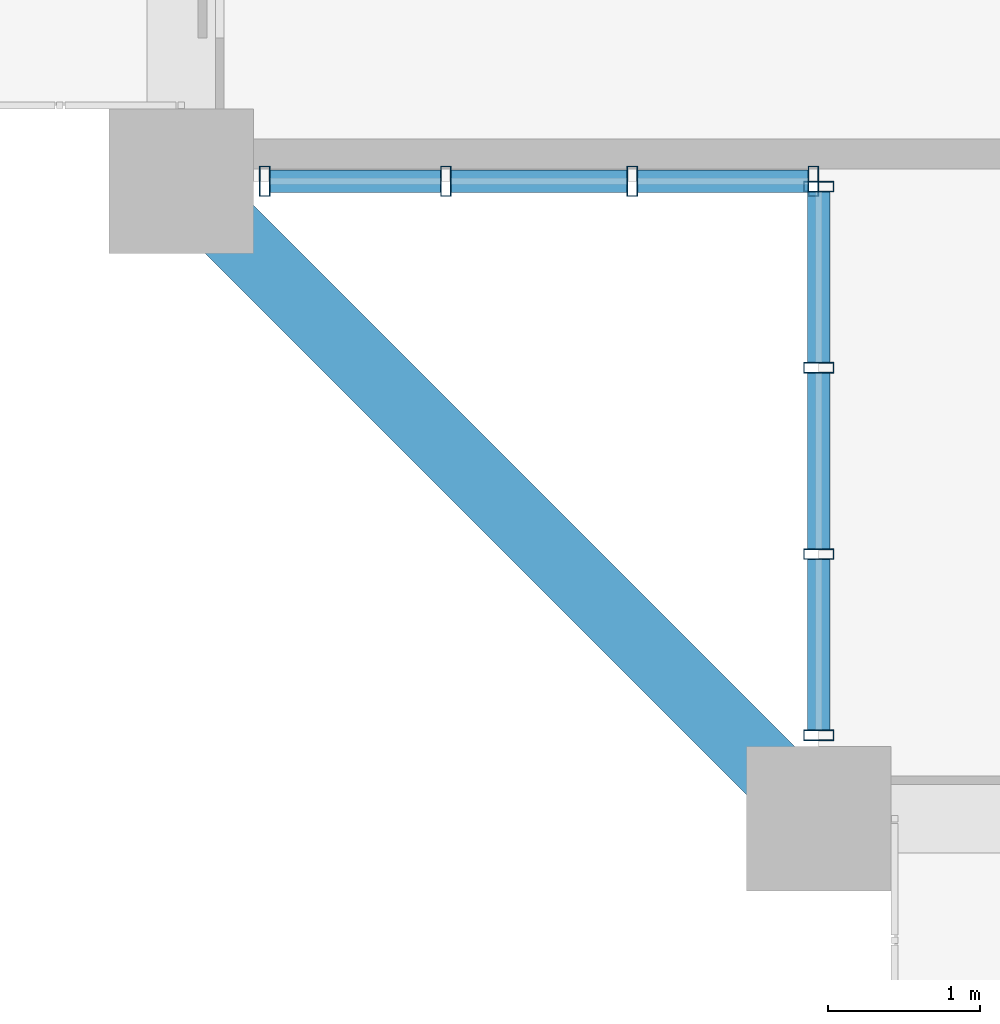
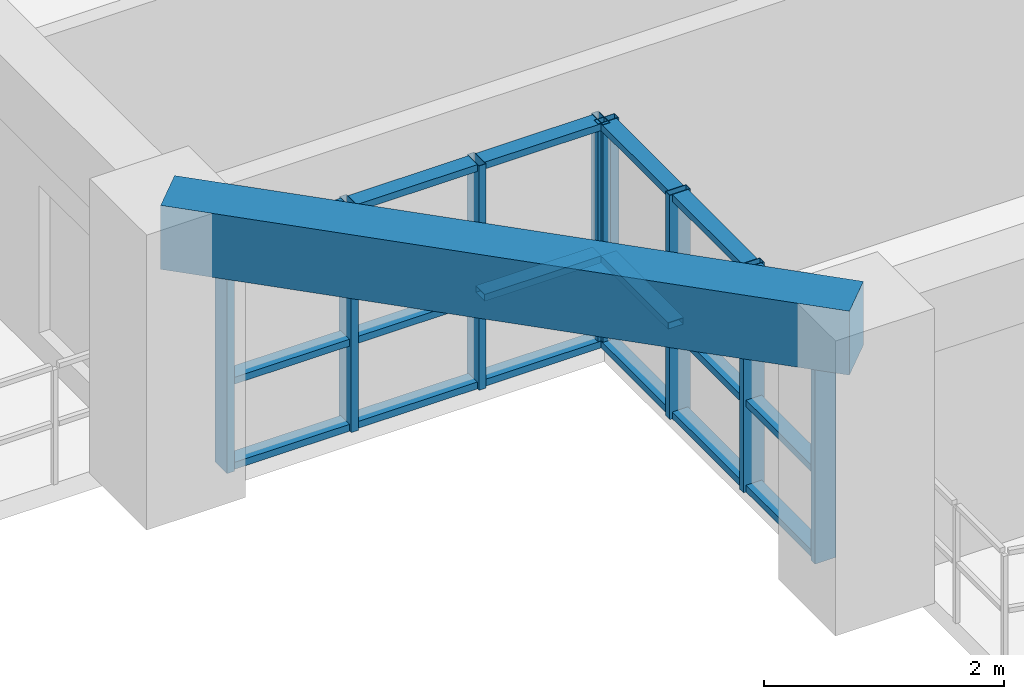
# One storey, part 2 of 22: 26 members, 1 beam, 2 elements without a shape of their own.
"""IFC4 building model written with IfcOpenShell, lengths in metres."""

import ifcopenshell
import ifcopenshell.guid

model = None  # the IFC model being written
_history = None  # IfcOwnerHistory: only IFC2X3 demands one
_inside = {}  # id of a spatial element -> (the spatial element, [elements in it])
_under = {}  # id of a project, library or spatial element -> (it, [spatial elements below it])
_declared = {}  # id of a project -> (the project, [libraries it declares])
_typed = {}  # id of a type object -> (the type object, [elements of that type])
_made_of = {}  # id of a material, layer set ... -> (it, [elements and type objects made of it])


def new_model(schema):
    """Start an empty IFC model of exactly this schema.

    Asked for "IFC4X3", IfcOpenShell would pick the latest addendum, in which some entities
    have other attributes; the version numbers below select the first issue.
    IFC2X3 requires an IfcOwnerHistory on every rooted entity: one is made here for all.
    """
    global model, _history
    if schema == "IFC4X3":
        model = ifcopenshell.file(schema_version=(4, 3, 0, 0))
    else:
        model = ifcopenshell.file(schema=schema)
    _inside.clear()
    _under.clear()
    _declared.clear()
    _typed.clear()
    _made_of.clear()
    _history = None
    if model.schema == "IFC2X3":
        org = make("IfcOrganization", Name="unknown")
        user = make(
            "IfcPersonAndOrganization",
            ThePerson=make("IfcPerson", FamilyName="unknown"),
            TheOrganization=org,
        )
        app = make(
            "IfcApplication",
            ApplicationDeveloper=org,
            Version="unknown",
            ApplicationFullName="unknown",
            ApplicationIdentifier="unknown",
        )
        _history = make(
            "IfcOwnerHistory",
            OwningUser=user,
            OwningApplication=app,
            ChangeAction="ADDED",
            CreationDate=0,
        )
    return model


def make(cls, **values):
    """One entity of the class cls with the attributes given. An attribute that is None is left unset."""
    return model.create_entity(
        cls, **{name: value for name, value in values.items() if value is not None}
    )


def rooted(cls, **values):
    """An entity with a GlobalId (a new one), such as an element, a storey or a relation."""
    return make(cls, GlobalId=ifcopenshell.guid.new(), OwnerHistory=_history, **values)


def si_unit(unit_type, name, prefix=None):
    """IfcSIUnit, for example si_unit("LENGTHUNIT", "METRE", prefix="MILLI")."""
    return make("IfcSIUnit", UnitType=unit_type, Prefix=prefix, Name=name)


def assignment(units):
    """IfcUnitAssignment: the units of a project."""
    return None if units is None else make("IfcUnitAssignment", Units=units)


def point(xyz):
    """IfcCartesianPoint."""
    return None if xyz is None else make("IfcCartesianPoint", Coordinates=xyz)


def direction(xyz):
    """IfcDirection."""
    return None if xyz is None else make("IfcDirection", DirectionRatios=xyz)


def frame(location, z_axis=None, x_axis=None):
    """IfcAxis2Placement3D, a coordinate frame: its origin and axes. An axis left out is left unset."""
    return make(
        "IfcAxis2Placement3D",
        Location=point(location),
        Axis=direction(z_axis),
        RefDirection=direction(x_axis),
    )


def frame_2d(location, x_axis=None):
    """IfcAxis2Placement2D, a coordinate frame in the plane: its origin and x axis."""
    return make(
        "IfcAxis2Placement2D", Location=point(location), RefDirection=direction(x_axis)
    )


def origin():
    """The frame at (0, 0, 0) with its axes left unset."""
    return frame((0.0, 0.0, 0.0))


def origin_2d():
    """The frame at (0, 0) in the plane with its x axis left unset."""
    return frame_2d((0.0, 0.0))


def place(relative_to, where):
    """IfcLocalPlacement: puts the frame where relative to a parent placement (None: the world)."""
    return make(
        "IfcLocalPlacement", PlacementRelTo=relative_to, RelativePlacement=where
    )


def context(
    kind, dimensions, precision=None, world=None, true_north=None, identifier=None
):
    """IfcGeometricRepresentationContext, for example the 3D "Model" context."""
    return make(
        "IfcGeometricRepresentationContext",
        ContextIdentifier=identifier,
        ContextType=kind,
        CoordinateSpaceDimension=dimensions,
        Precision=precision,
        WorldCoordinateSystem=world,
        TrueNorth=true_north,
    )


def subcontext(parent, identifier, kind, view, scale=None):
    """IfcGeometricRepresentationSubContext, for example "Body" below "Model"."""
    return make(
        "IfcGeometricRepresentationSubContext",
        ContextIdentifier=identifier,
        ContextType=kind,
        ParentContext=parent,
        TargetScale=scale,
        TargetView=view,
    )


def project(units=None, contexts=None):
    """IfcProject with its units and contexts."""
    return rooted(
        "IfcProject",
        Name="project",
        RepresentationContexts=contexts,
        UnitsInContext=assignment(units),
    )


def spatial(cls, under=None, at=None, **own):
    """A site, building, storey or space (cls), placed at a placement, below another one or the project."""
    s = rooted(cls, ObjectPlacement=at, **own)
    if under is not None:
        _under.setdefault(under.id(), (under, []))[1].append(s)
    return s


def profile(cls, at=None, kind="AREA", **sizes):
    """A parametric profile (cls). Its sizes go by their IFC names, for example OverallWidth=200.0."""
    return make(cls, ProfileType=kind, Position=at, **sizes)


def rectangle(**sizes):
    """IfcRectangleProfileDef."""
    return profile("IfcRectangleProfileDef", **sizes)


def hollow_rectangle(**sizes):
    """IfcRectangleHollowProfileDef."""
    return profile("IfcRectangleHollowProfileDef", **sizes)


def extrude(swept, where, along, depth):
    """IfcExtrudedAreaSolid: the profile swept, set in the frame where, extruded along a direction by depth."""
    return make(
        "IfcExtrudedAreaSolid",
        SweptArea=swept,
        Position=where,
        ExtrudedDirection=direction(along),
        Depth=depth,
    )


def shape(context_of_items, identifier, shape_type, items):
    """IfcShapeRepresentation: the items that make up one representation, for example the "Body"."""
    return make(
        "IfcShapeRepresentation",
        ContextOfItems=context_of_items,
        RepresentationIdentifier=identifier,
        RepresentationType=shape_type,
        Items=items,
    )


def source(mapping_origin, context_of_items, identifier, shape_type, items):
    """IfcRepresentationMap: a shape defined once, which mapped items show again and again."""
    return make(
        "IfcRepresentationMap",
        MappingOrigin=mapping_origin,
        MappedRepresentation=shape(context_of_items, identifier, shape_type, items),
    )


def transform(
    local_origin,
    x_axis=None,
    y_axis=None,
    z_axis=None,
    scale=None,
    scale2=None,
    scale3=None,
    uniform=True,
):
    """IfcCartesianTransformationOperator3D, or its non-uniform kind. x_axis, y_axis, z_axis: its Axis1, 2, 3."""
    if uniform:
        return make(
            "IfcCartesianTransformationOperator3D",
            Axis1=direction(x_axis),
            Axis2=direction(y_axis),
            LocalOrigin=point(local_origin),
            Scale=scale,
            Axis3=direction(z_axis),
        )
    return make(
        "IfcCartesianTransformationOperator3DnonUniform",
        Axis1=direction(x_axis),
        Axis2=direction(y_axis),
        LocalOrigin=point(local_origin),
        Scale=scale,
        Axis3=direction(z_axis),
        Scale2=scale2,
        Scale3=scale3,
    )


def mapped(mapping_source, mapping_target):
    """IfcMappedItem: shows the shape of a source again, moved by a transform."""
    return make(
        "IfcMappedItem", MappingSource=mapping_source, MappingTarget=mapping_target
    )


def material(Name=None, Category=None):
    """IfcMaterial."""
    return make("IfcMaterial", Name=Name, Category=Category)


def layer(
    of_material, thickness, ventilated=None, Name=None, Category=None, Priority=None
):
    """IfcMaterialLayer: one layer of a wall or slab, of a material (None: an air gap)."""
    return make(
        "IfcMaterialLayer",
        Material=of_material,
        LayerThickness=thickness,
        IsVentilated=ventilated,
        Name=Name,
        Category=Category,
        Priority=Priority,
    )


def layer_set(layers, Name=None):
    """IfcMaterialLayerSet."""
    return make("IfcMaterialLayerSet", MaterialLayers=layers, LayerSetName=Name)


def material_profile(
    of_material, cross_section, Name=None, Category=None, Priority=None
):
    """IfcMaterialProfile: a cross section and its material."""
    return make(
        "IfcMaterialProfile",
        Name=Name,
        Material=of_material,
        Profile=cross_section,
        Priority=Priority,
        Category=Category,
    )


def profile_set(profiles, Name=None, composite=None):
    """IfcMaterialProfileSet."""
    return make(
        "IfcMaterialProfileSet",
        Name=Name,
        MaterialProfiles=profiles,
        CompositeProfile=composite,
    )


def made_of(thing, what):
    """Note that an element or type object is made of a material, layer set ...; save() writes the relation."""
    if what is not None:
        _made_of.setdefault(what.id(), (what, []))[1].append(thing)
    return thing


def type_object(cls, material=None, **own):
    """A type object (cls), such as IfcWallType, which elements share."""
    return made_of(rooted(cls, **own), material)


def element(
    cls,
    number,
    at=None,
    inside=None,
    cuts=None,
    type_object=None,
    material=None,
    context=None,
    identifier="Body",
    shape_type=None,
    held_by="IfcProductDefinitionShape",
    body=None,
    shapes=None,
    **own,
):
    """One element of the class cls, such as IfcWall. Its Tag is "e" and its number.

    at: its placement. inside: the storey or other place that contains it. cuts: it is an
    opening in that element (IfcRelVoidsElement). A single representation is given by context,
    identifier, shape_type and body (its items); several are given by shapes. held_by: the class
    of the entity that holds the representations. save() writes the other relations.
    """
    e = rooted(cls, Tag="e%d" % number, ObjectPlacement=at, **own)
    if body is not None:
        shapes = [shape(context, identifier, shape_type, body)]
    if shapes is not None:
        e.Representation = make(held_by, Representations=shapes)
    if inside is not None:
        _inside.setdefault(inside.id(), (inside, []))[1].append(e)
    if cuts is not None:
        rooted(
            "IfcRelVoidsElement", RelatingBuildingElement=cuts, RelatedOpeningElement=e
        )
    if type_object is not None:
        _typed.setdefault(type_object.id(), (type_object, []))[1].append(e)
    return made_of(e, material)


def aggregate(whole, parts):
    """IfcRelAggregates: a whole, such as a stair, and the parts it consists of."""
    return rooted("IfcRelAggregates", RelatingObject=whole, RelatedObjects=parts)


def save(model, path):
    """Write the relations noted so far, then the file.

    IfcRelAggregates (storeys below a building ...), IfcRelContainedInSpatialStructure (elements
    in a storey), IfcRelDefinesByType, IfcRelAssociatesMaterial and IfcRelDeclares: one each for
    every whole, place, type object, material and project.
    """
    for whole, parts in _under.values():
        aggregate(whole, parts)
    for where, things in _inside.values():
        rooted(
            "IfcRelContainedInSpatialStructure",
            RelatedElements=things,
            RelatingStructure=where,
        )
    for kind, things in _typed.values():
        rooted("IfcRelDefinesByType", RelatedObjects=things, RelatingType=kind)
    for what, things in _made_of.values():
        rooted("IfcRelAssociatesMaterial", RelatedObjects=things, RelatingMaterial=what)
    for by, libraries in _declared.values():
        rooted("IfcRelDeclares", RelatingContext=by, RelatedDefinitions=libraries)
    model.write(path)


model = new_model("IFC4")

# Units and contexts
model_context = context("Model", 3, precision=1e-05, world=origin(), true_north=direction((0.0, 1.0)))
body_context = subcontext(model_context, "Body", "Model", "MODEL_VIEW")
ifc_project = project(units=[si_unit("LENGTHUNIT", "METRE"), si_unit("AREAUNIT", "SQUARE_METRE"), si_unit("VOLUMEUNIT", "CUBIC_METRE"), si_unit("PLANEANGLEUNIT", "RADIAN"), si_unit("MASSUNIT", "GRAM", prefix="KILO")], contexts=[model_context])

# Site, building, storey
site_placement = place(None, origin())
site = spatial("IfcSite", under=ifc_project, at=site_placement, CompositionType="ELEMENT")
building_placement = place(site_placement, origin())
building = spatial("IfcBuilding", under=site, at=building_placement, Name="Saelheon Loggia Tower", CompositionType="ELEMENT")
storey_placement = place(building_placement, frame((0.0, 0.0, 135.75)))
storey = spatial("IfcBuildingStorey", under=building, at=storey_placement, Name="L43", CompositionType="ELEMENT", Elevation=135.75)

# Beam
ifc_material_1 = material(Name="Concrete C40/50", Category="concrete")
ifc_material_profile_1 = material_profile(ifc_material_1, rectangle(XDim=0.449951171875, YDim=0.64990234375, at=origin_2d()), Name="RC-450x650")
ifc_profile_set_1 = profile_set([ifc_material_profile_1], Name="Concrete C40/50")
beam_type = type_object("IfcBeamType", Name="Beam_PerimTower_RC450x650", PredefinedType="BEAM", material=ifc_profile_set_1)
shared_shape_1 = source(origin(), body_context, "Body", "SweptSolid", [
    extrude(rectangle(XDim=0.449951171875, YDim=0.64990234375, at=origin_2d()), origin(), (0.0, 0.0, 1.0), 5.939697265625),
])
beam_placement = place(storey_placement, frame((12.0, 7.199951171875, 2.675048828125), z_axis=(0.707106781187, -0.707106781187, 0.0), x_axis=(0.707106781187, 0.707106781187, 0.0)))
element("IfcBeam", 1, at=beam_placement, inside=storey, type_object=beam_type, Name="L43 Perimeter Frame Girder 16", PredefinedType="BEAM", context=body_context, shape_type="MappedRepresentation", body=[
    mapped(shared_shape_1, transform((0.0, 0.0, 0.0), scale=1.0)),
])

# Curtain wall, members
ifc_material_2 = material(Name="High-Wind Aluminium and Triple Laminated Glass", Category="aluminium")
ifc_layer = layer(ifc_material_2, 0.179931640625)
ifc_layer_set = layer_set([ifc_layer], Name="High-Wind Aluminium and Triple Laminated Glass")
curtain_wall_type = type_object("IfcCurtainWallType", Name="CW_TowerLoggiaHigh", PredefinedType="NOTDEFINED", material=ifc_layer_set)
curtain_wall_1_placement = place(storey_placement, origin())
curtain_wall_1 = element("IfcCurtainWall", 2, at=curtain_wall_1_placement, inside=storey, type_object=curtain_wall_type, Name="L43 Corner Notch Glazing SW1", PredefinedType="NOTDEFINED")
ifc_material_3 = material(Name="Anodised Aluminium 6063-T6", Category="aluminium")
ifc_material_profile_2 = material_profile(ifc_material_3, hollow_rectangle(XDim=0.070068359375, YDim=0.199951171875, WallThickness=0.0048828125, at=origin_2d()), Name="RHS-200x70x5")
ifc_profile_set_2 = profile_set([ifc_material_profile_2], Name="Anodised Aluminium 6063-T6")
member_type_1 = type_object("IfcMemberType", Name="CW_TowerLoggiaHigh_Mullion", PredefinedType="MULLION", material=ifc_profile_set_2)
shared_shape_2 = source(origin(), body_context, "Body", "SweptSolid", [
    extrude(hollow_rectangle(XDim=0.070068359375, YDim=0.199951171875, WallThickness=0.0048828125, at=origin_2d()), origin(), (0.0, 0.0, 1.0), 2.280029296875),
])
member_1_placement = place(storey_placement, frame((16.199951171875, 3.550048828125, 0.0), z_axis=(0.0, 0.0, 1.0), x_axis=(0.0, 1.0, 0.0)))
member_1 = element("IfcMember", 3, at=member_1_placement, type_object=member_type_1, Name="CW4 mullion 1", PredefinedType="MULLION", context=body_context, shape_type="MappedRepresentation", body=[
    mapped(shared_shape_2, transform((0.0, 0.0, 0.0), scale=1.0)),
])
member_2_placement = place(storey_placement, frame((16.199951171875, 4.743408203125, 0.0), z_axis=(0.0, 0.0, 1.0), x_axis=(0.0, 1.0, 0.0)))
member_2 = element("IfcMember", 4, at=member_2_placement, type_object=member_type_1, Name="CW4 mullion 2", PredefinedType="MULLION", context=body_context, shape_type="MappedRepresentation", body=[
    mapped(shared_shape_2, transform((0.0, 0.0, 0.0), scale=1.0)),
])
member_3_placement = place(storey_placement, frame((16.199951171875, 5.9716796875, 0.0), z_axis=(0.0, 0.0, 1.0), x_axis=(0.0, 1.0, 0.0)))
member_3 = element("IfcMember", 5, at=member_3_placement, type_object=member_type_1, Name="CW4 mullion 3", PredefinedType="MULLION", context=body_context, shape_type="MappedRepresentation", body=[
    mapped(shared_shape_2, transform((0.0, 0.0, 0.0), scale=1.0)),
])
member_4_placement = place(storey_placement, frame((16.199951171875, 7.1650390625, 0.0), z_axis=(0.0, 0.0, 1.0), x_axis=(0.0, 1.0, 0.0)))
member_4 = element("IfcMember", 6, at=member_4_placement, type_object=member_type_1, Name="CW4 mullion 4", PredefinedType="MULLION", context=body_context, shape_type="MappedRepresentation", body=[
    mapped(shared_shape_2, transform((0.0, 0.0, 0.0), scale=1.0)),
])

curtain_wall_2_placement = place(storey_placement, origin())
curtain_wall_2 = element("IfcCurtainWall", 7, at=curtain_wall_2_placement, inside=storey, type_object=curtain_wall_type, Name="L43 Corner Notch Glazing SW2", PredefinedType="NOTDEFINED")
member_5_placement = place(storey_placement, frame((12.550048828125, 7.199951171875, 0.0), z_axis=(0.0, 0.0, 1.0), x_axis=(1.0, 0.0, 0.0)))
member_5 = element("IfcMember", 8, at=member_5_placement, type_object=member_type_1, Name="CW4 mullion 1", PredefinedType="MULLION", context=body_context, shape_type="MappedRepresentation", body=[
    mapped(shared_shape_2, transform((0.0, 0.0, 0.0), scale=1.0)),
])
member_6_placement = place(storey_placement, frame((13.743408203125, 7.199951171875, 0.0), z_axis=(0.0, 0.0, 1.0), x_axis=(1.0, 0.0, 0.0)))
member_6 = element("IfcMember", 9, at=member_6_placement, type_object=member_type_1, Name="CW4 mullion 2", PredefinedType="MULLION", context=body_context, shape_type="MappedRepresentation", body=[
    mapped(shared_shape_2, transform((0.0, 0.0, 0.0), scale=1.0)),
])
member_7_placement = place(storey_placement, frame((14.9716796875, 7.199951171875, 0.0), z_axis=(0.0, 0.0, 1.0), x_axis=(1.0, 0.0, 0.0)))
member_7 = element("IfcMember", 10, at=member_7_placement, type_object=member_type_1, Name="CW4 mullion 3", PredefinedType="MULLION", context=body_context, shape_type="MappedRepresentation", body=[
    mapped(shared_shape_2, transform((0.0, 0.0, 0.0), scale=1.0)),
])
member_8_placement = place(storey_placement, frame((16.1650390625, 7.199951171875, 0.0), z_axis=(0.0, 0.0, 1.0), x_axis=(1.0, 0.0, 0.0)))
member_8 = element("IfcMember", 11, at=member_8_placement, type_object=member_type_1, Name="CW4 mullion 4", PredefinedType="MULLION", context=body_context, shape_type="MappedRepresentation", body=[
    mapped(shared_shape_2, transform((0.0, 0.0, 0.0), scale=1.0)),
])

# Member
ifc_material_profile_3 = material_profile(ifc_material_3, hollow_rectangle(XDim=0.070068359375, YDim=0.14990234375, WallThickness=0.0048828125, at=origin_2d()), Name="RHS-150x70x5")
ifc_profile_set_3 = profile_set([ifc_material_profile_3], Name="Anodised Aluminium 6063-T6")
member_type_2 = type_object("IfcMemberType", Name="CW_TowerLoggiaHigh_Transom", PredefinedType="USERDEFINED", material=ifc_profile_set_3)
shared_shape_3 = source(origin(), body_context, "Body", "SweptSolid", [
    extrude(hollow_rectangle(XDim=0.070068359375, YDim=0.14990234375, WallThickness=0.0048828125, at=origin_2d()), origin(), (0.0, 0.0, 1.0), 1.123291015625),
])
member_9_placement = place(storey_placement, frame((16.199951171875, 3.5849609375, 0.034912109375), z_axis=(0.0, 1.0, 0.0), x_axis=(0.0, 0.0, 1.0)))
member_9 = element("IfcMember", 12, at=member_9_placement, type_object=member_type_2, Name="CW4 transom 1.1", ObjectType="TRANSOM", PredefinedType="USERDEFINED", context=body_context, shape_type="MappedRepresentation", body=[
    mapped(shared_shape_3, transform((0.0, 0.0, 0.0), scale=1.0)),
])

member_10_placement = place(storey_placement, frame((16.199951171875, 3.5849609375, 0.89990234375), z_axis=(0.0, 1.0, 0.0), x_axis=(0.0, 0.0, 1.0)))
member_10 = element("IfcMember", 13, at=member_10_placement, type_object=member_type_2, Name="CW4 transom 1.2", ObjectType="TRANSOM", PredefinedType="USERDEFINED", context=body_context, shape_type="MappedRepresentation", body=[
    mapped(shared_shape_3, transform((0.0, 0.0, 0.0), scale=1.0)),
])

member_11_placement = place(storey_placement, frame((16.199951171875, 3.5849609375, 2.2451171875), z_axis=(0.0, 1.0, 0.0), x_axis=(0.0, 0.0, 1.0)))
member_11 = element("IfcMember", 14, at=member_11_placement, type_object=member_type_2, Name="CW4 transom 1.3", ObjectType="TRANSOM", PredefinedType="USERDEFINED", context=body_context, shape_type="MappedRepresentation", body=[
    mapped(shared_shape_3, transform((0.0, 0.0, 0.0), scale=1.0)),
])

member_12_placement = place(storey_placement, frame((16.199951171875, 6.006591796875, 0.034912109375), z_axis=(0.0, 1.0, 0.0), x_axis=(0.0, 0.0, 1.0)))
member_12 = element("IfcMember", 15, at=member_12_placement, type_object=member_type_2, Name="CW4 transom 3.1", ObjectType="TRANSOM", PredefinedType="USERDEFINED", context=body_context, shape_type="MappedRepresentation", body=[
    mapped(shared_shape_3, transform((0.0, 0.0, 0.0), scale=1.0)),
])

member_13_placement = place(storey_placement, frame((16.199951171875, 6.006591796875, 0.89990234375), z_axis=(0.0, 1.0, 0.0), x_axis=(0.0, 0.0, 1.0)))
member_13 = element("IfcMember", 16, at=member_13_placement, type_object=member_type_2, Name="CW4 transom 3.2", ObjectType="TRANSOM", PredefinedType="USERDEFINED", context=body_context, shape_type="MappedRepresentation", body=[
    mapped(shared_shape_3, transform((0.0, 0.0, 0.0), scale=1.0)),
])

member_14_placement = place(storey_placement, frame((16.199951171875, 6.006591796875, 2.2451171875), z_axis=(0.0, 1.0, 0.0), x_axis=(0.0, 0.0, 1.0)))
member_14 = element("IfcMember", 17, at=member_14_placement, type_object=member_type_2, Name="CW4 transom 3.3", ObjectType="TRANSOM", PredefinedType="USERDEFINED", context=body_context, shape_type="MappedRepresentation", body=[
    mapped(shared_shape_3, transform((0.0, 0.0, 0.0), scale=1.0)),
])

member_15_placement = place(storey_placement, frame((12.5849609375, 7.199951171875, 0.034912109375), z_axis=(1.0, 0.0, 0.0), x_axis=(0.0, 0.0, 1.0)))
member_15 = element("IfcMember", 18, at=member_15_placement, type_object=member_type_2, Name="CW4 transom 1.1", ObjectType="TRANSOM", PredefinedType="USERDEFINED", context=body_context, shape_type="MappedRepresentation", body=[
    mapped(shared_shape_3, transform((0.0, 0.0, 0.0), scale=1.0)),
])

member_16_placement = place(storey_placement, frame((12.5849609375, 7.199951171875, 0.89990234375), z_axis=(1.0, 0.0, 0.0), x_axis=(0.0, 0.0, 1.0)))
member_16 = element("IfcMember", 19, at=member_16_placement, type_object=member_type_2, Name="CW4 transom 1.2", ObjectType="TRANSOM", PredefinedType="USERDEFINED", context=body_context, shape_type="MappedRepresentation", body=[
    mapped(shared_shape_3, transform((0.0, 0.0, 0.0), scale=1.0)),
])

member_17_placement = place(storey_placement, frame((12.5849609375, 7.199951171875, 2.2451171875), z_axis=(1.0, 0.0, 0.0), x_axis=(0.0, 0.0, 1.0)))
member_17 = element("IfcMember", 20, at=member_17_placement, type_object=member_type_2, Name="CW4 transom 1.3", ObjectType="TRANSOM", PredefinedType="USERDEFINED", context=body_context, shape_type="MappedRepresentation", body=[
    mapped(shared_shape_3, transform((0.0, 0.0, 0.0), scale=1.0)),
])

member_18_placement = place(storey_placement, frame((15.006591796875, 7.199951171875, 0.034912109375), z_axis=(1.0, 0.0, 0.0), x_axis=(0.0, 0.0, 1.0)))
member_18 = element("IfcMember", 21, at=member_18_placement, type_object=member_type_2, Name="CW4 transom 3.1", ObjectType="TRANSOM", PredefinedType="USERDEFINED", context=body_context, shape_type="MappedRepresentation", body=[
    mapped(shared_shape_3, transform((0.0, 0.0, 0.0), scale=1.0)),
])

member_19_placement = place(storey_placement, frame((15.006591796875, 7.199951171875, 0.89990234375), z_axis=(1.0, 0.0, 0.0), x_axis=(0.0, 0.0, 1.0)))
member_19 = element("IfcMember", 22, at=member_19_placement, type_object=member_type_2, Name="CW4 transom 3.2", ObjectType="TRANSOM", PredefinedType="USERDEFINED", context=body_context, shape_type="MappedRepresentation", body=[
    mapped(shared_shape_3, transform((0.0, 0.0, 0.0), scale=1.0)),
])

member_20_placement = place(storey_placement, frame((15.006591796875, 7.199951171875, 2.2451171875), z_axis=(1.0, 0.0, 0.0), x_axis=(0.0, 0.0, 1.0)))
member_20 = element("IfcMember", 23, at=member_20_placement, type_object=member_type_2, Name="CW4 transom 3.3", ObjectType="TRANSOM", PredefinedType="USERDEFINED", context=body_context, shape_type="MappedRepresentation", body=[
    mapped(shared_shape_3, transform((0.0, 0.0, 0.0), scale=1.0)),
])

shared_shape_4 = source(origin(), body_context, "Body", "SweptSolid", [
    extrude(hollow_rectangle(XDim=0.070068359375, YDim=0.14990234375, WallThickness=0.0048828125, at=origin_2d()), origin(), (0.0, 0.0, 1.0), 1.158447265625),
])
member_21_placement = place(storey_placement, frame((16.199951171875, 4.7783203125, 0.034912109375), z_axis=(0.0, 1.0, 0.0), x_axis=(0.0, 0.0, 1.0)))
member_21 = element("IfcMember", 24, at=member_21_placement, type_object=member_type_2, Name="CW4 transom 2.1", ObjectType="TRANSOM", PredefinedType="USERDEFINED", context=body_context, shape_type="MappedRepresentation", body=[
    mapped(shared_shape_4, transform((0.0, 0.0, 0.0), scale=1.0)),
])

member_22_placement = place(storey_placement, frame((16.199951171875, 4.7783203125, 0.89990234375), z_axis=(0.0, 1.0, 0.0), x_axis=(0.0, 0.0, 1.0)))
member_22 = element("IfcMember", 25, at=member_22_placement, type_object=member_type_2, Name="CW4 transom 2.2", ObjectType="TRANSOM", PredefinedType="USERDEFINED", context=body_context, shape_type="MappedRepresentation", body=[
    mapped(shared_shape_4, transform((0.0, 0.0, 0.0), scale=1.0)),
])

member_23_placement = place(storey_placement, frame((16.199951171875, 4.7783203125, 2.2451171875), z_axis=(0.0, 1.0, 0.0), x_axis=(0.0, 0.0, 1.0)))
member_23 = element("IfcMember", 26, at=member_23_placement, type_object=member_type_2, Name="CW4 transom 2.3", ObjectType="TRANSOM", PredefinedType="USERDEFINED", context=body_context, shape_type="MappedRepresentation", body=[
    mapped(shared_shape_4, transform((0.0, 0.0, 0.0), scale=1.0)),
])

aggregate(curtain_wall_1, [member_1, member_2, member_3, member_4, member_9, member_10, member_11, member_21, member_22, member_23, member_12, member_13, member_14])

member_24_placement = place(storey_placement, frame((13.7783203125, 7.199951171875, 0.034912109375), z_axis=(1.0, 0.0, 0.0), x_axis=(0.0, 0.0, 1.0)))
member_24 = element("IfcMember", 27, at=member_24_placement, type_object=member_type_2, Name="CW4 transom 2.1", ObjectType="TRANSOM", PredefinedType="USERDEFINED", context=body_context, shape_type="MappedRepresentation", body=[
    mapped(shared_shape_4, transform((0.0, 0.0, 0.0), scale=1.0)),
])

member_25_placement = place(storey_placement, frame((13.7783203125, 7.199951171875, 0.89990234375), z_axis=(1.0, 0.0, 0.0), x_axis=(0.0, 0.0, 1.0)))
member_25 = element("IfcMember", 28, at=member_25_placement, type_object=member_type_2, Name="CW4 transom 2.2", ObjectType="TRANSOM", PredefinedType="USERDEFINED", context=body_context, shape_type="MappedRepresentation", body=[
    mapped(shared_shape_4, transform((0.0, 0.0, 0.0), scale=1.0)),
])

member_26_placement = place(storey_placement, frame((13.7783203125, 7.199951171875, 2.2451171875), z_axis=(1.0, 0.0, 0.0), x_axis=(0.0, 0.0, 1.0)))
member_26 = element("IfcMember", 29, at=member_26_placement, type_object=member_type_2, Name="CW4 transom 2.3", ObjectType="TRANSOM", PredefinedType="USERDEFINED", context=body_context, shape_type="MappedRepresentation", body=[
    mapped(shared_shape_4, transform((0.0, 0.0, 0.0), scale=1.0)),
])

aggregate(curtain_wall_2, [member_5, member_6, member_7, member_8, member_15, member_16, member_17, member_24, member_25, member_26, member_18, member_19, member_20])

save(model, "model.ifc")
